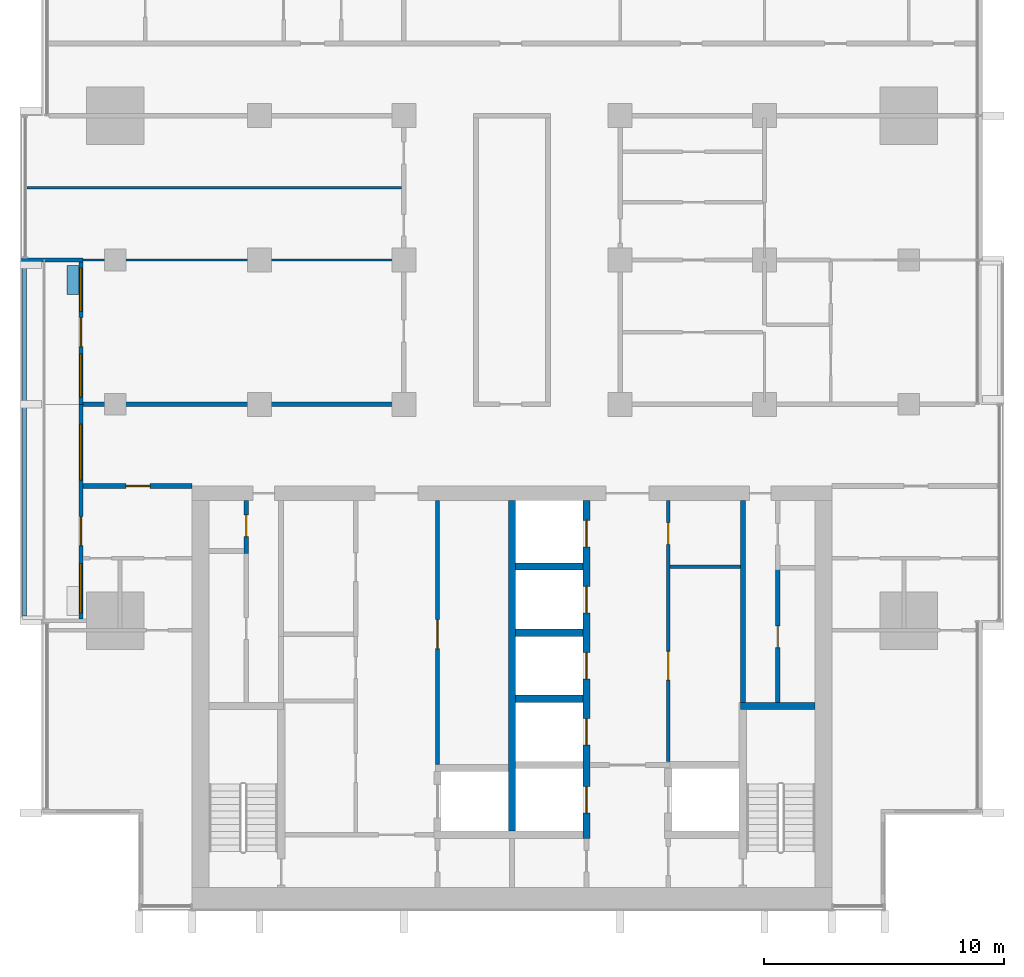
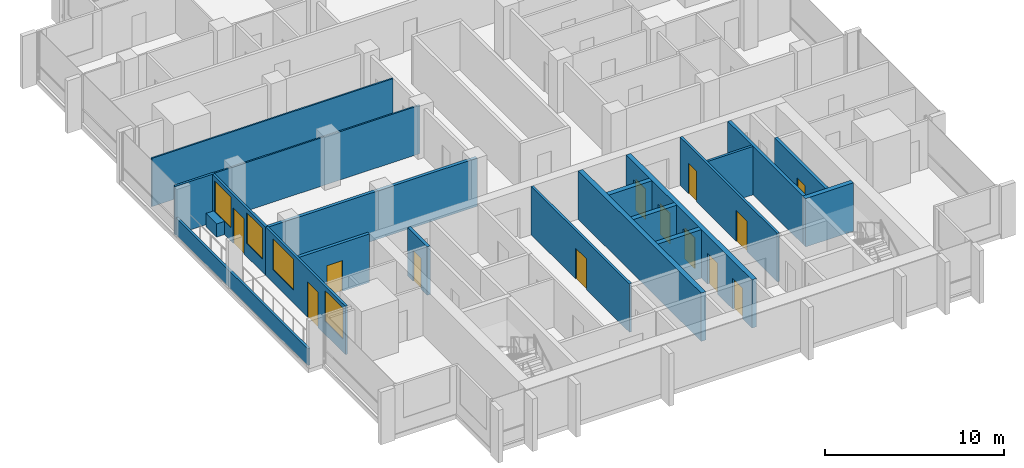
# One storey, part 8 of 16: 21 walls, 13 doors, 4 windows, 17 openings.
"""IFC4 building model written with IfcOpenShell, lengths in metres."""

from ifc_helpers import new_model, si_unit, direction, frame, frame_2d, origin, place, context, subcontext, project, spatial, rectangle, extrude, material, layer, layer_set, type_object, element, fill, save


model = new_model("IFC4")

# Units and contexts
model_context = context("Model", 3, precision=1e-05, world=origin(), true_north=direction((0.0, 1.0)))
body_context = subcontext(model_context, "Body", "Model", "MODEL_VIEW")
ifc_project = project(units=[si_unit("LENGTHUNIT", "METRE"), si_unit("AREAUNIT", "SQUARE_METRE"), si_unit("VOLUMEUNIT", "CUBIC_METRE"), si_unit("PLANEANGLEUNIT", "RADIAN"), si_unit("MASSUNIT", "GRAM", prefix="KILO")], contexts=[model_context])

# Site, building, storey
site_placement = place(None, origin())
site = spatial("IfcSite", under=ifc_project, at=site_placement, CompositionType="ELEMENT")
building_placement = place(site_placement, origin())
building = spatial("IfcBuilding", under=site, at=building_placement, Name="Finial Court Residences", CompositionType="ELEMENT")
storey_placement = place(building_placement, frame((0.0, 0.0, 188.89990234375)))
storey = spatial("IfcBuildingStorey", under=building, at=storey_placement, Name="L47", CompositionType="ELEMENT", Elevation=188.89990234375)

# Wall
ifc_material_1 = material(Name="Fire-rated gypsum board partition")
ifc_layer_1 = layer(ifc_material_1, 0.14990234375)
ifc_layer_set_1 = layer_set([ifc_layer_1], Name="Core room partition 150 EI 60")
wall_type_1 = type_object("IfcWallType", Name="Core room partition 150 EI 60", PredefinedType="PARTITIONING", material=ifc_layer_set_1)
wall_1_placement = place(storey_placement, frame((6.574951171875, -11.25, 0.0), z_axis=(0.0, 0.0, 1.0), x_axis=(1.0, 0.0, 0.0)))
element("IfcWall", 1, at=wall_1_placement, inside=storey, type_object=wall_type_1, Name="Core partition L47-16", PredefinedType="PARTITIONING", context=body_context, shape_type="SweptSolid", body=[
    extrude(rectangle(XDim=2.925048828125, YDim=0.14990234375, at=frame_2d((1.46240234375, 0.0))), origin(), (0.0, 0.0, 1.0), 3.300048828125),
])

# Wall, opening, door
wall_2_placement = place(storey_placement, frame((-3.10009765625, -8.5, 0.0), z_axis=(0.0, 0.0, 1.0), x_axis=(0.0, -1.0, 0.0)))
wall_2 = element("IfcWall", 2, at=wall_2_placement, inside=storey, type_object=wall_type_1, Name="Core partition L47-27", PredefinedType="PARTITIONING", context=body_context, shape_type="SweptSolid", body=[
    extrude(rectangle(XDim=10.969970703125, YDim=0.14990234375, at=frame_2d((5.48486328125, 0.0))), origin(), (0.0, 0.0, 1.0), 3.300048828125),
])
opening_1_placement = place(wall_2_placement, frame((4.9599609375, 0.0, 0.0)))
opening_1 = element("IfcOpeningElement", 3, at=opening_1_placement, cuts=wall_2, Name="Opening L47-C17", PredefinedType="OPENING", context=body_context, shape_type="SweptSolid", body=[
    extrude(rectangle(XDim=1.199951171875, YDim=2.10009765625, at=frame_2d((0.60009765625, 1.050048828125))), frame((0.0, 0.0849609375, 0.0), z_axis=(0.0, -1.0, 0.0), x_axis=(1.0, 0.0, 0.0)), (0.0, 0.0, 1.0), 0.169921875),
])
ifc_material_2 = material(Name="Steel fire door", Category="steel")
door_type_1 = type_object("IfcDoorType", Name="Core room door 1200 x 2100 EI 60", OperationType="NOTDEFINED", PredefinedType="DOOR", material=ifc_material_2)
door_1_placement = place(opening_1_placement, origin())
door_1 = element("IfcDoor", 4, at=door_1_placement, inside=storey, type_object=door_type_1, Name="Core room door L47-C17", OperationType="SINGLE_SWING_RIGHT", OverallHeight=2.10009765625, OverallWidth=1.199951171875, PredefinedType="DOOR", context=body_context, shape_type="SweptSolid", body=[
    extrude(rectangle(XDim=1.199951171875, YDim=2.10009765625, at=frame_2d((0.60009765625, 1.050048828125))), frame((0.0, 0.02490234375, 0.0), z_axis=(0.0, -1.0, 0.0), x_axis=(1.0, 0.0, 0.0)), (0.0, 0.0, 1.0), 0.050048828125),
])
fill(opening_1, door_1)

# Wall, openings, doors
wall_3_placement = place(storey_placement, frame((6.5, -8.5, 0.0), z_axis=(0.0, 0.0, 1.0), x_axis=(0.0, -1.0, 0.0)))
wall_3 = element("IfcWall", 5, at=wall_3_placement, inside=storey, type_object=wall_type_1, Name="Core partition L47-34", PredefinedType="PARTITIONING", context=body_context, shape_type="SweptSolid", body=[
    extrude(rectangle(XDim=10.85009765625, YDim=0.14990234375, at=frame_2d((5.425048828125, 0.0))), origin(), (0.0, 0.0, 1.0), 3.300048828125),
])
opening_2_placement = place(wall_3_placement, frame((6.27490234375, 0.0, 0.0)))
opening_2 = element("IfcOpeningElement", 6, at=opening_2_placement, cuts=wall_3, Name="Opening L47-C18", PredefinedType="OPENING", context=body_context, shape_type="SweptSolid", body=[
    extrude(rectangle(XDim=1.199951171875, YDim=2.10009765625, at=frame_2d((0.60009765625, 1.050048828125))), frame((0.0, 0.0849609375, 0.0), z_axis=(0.0, -1.0, 0.0), x_axis=(1.0, 0.0, 0.0)), (0.0, 0.0, 1.0), 0.169921875),
])
opening_3_placement = place(wall_3_placement, frame((0.925048828125, 0.0, 0.0)))
opening_3 = element("IfcOpeningElement", 7, at=opening_3_placement, cuts=wall_3, Name="Opening L47-C19", PredefinedType="OPENING", context=body_context, shape_type="SweptSolid", body=[
    extrude(rectangle(XDim=0.89990234375, YDim=2.10009765625, at=frame_2d((0.449951171875, 1.050048828125))), frame((0.0, 0.0849609375, 0.0), z_axis=(0.0, -1.0, 0.0), x_axis=(1.0, 0.0, 0.0)), (0.0, 0.0, 1.0), 0.169921875),
])
door_2_placement = place(opening_2_placement, origin())
door_2 = element("IfcDoor", 8, at=door_2_placement, inside=storey, type_object=door_type_1, Name="Core room door L47-C18", OperationType="SINGLE_SWING_RIGHT", OverallHeight=2.10009765625, OverallWidth=1.199951171875, PredefinedType="DOOR", context=body_context, shape_type="SweptSolid", body=[
    extrude(rectangle(XDim=1.199951171875, YDim=2.10009765625, at=frame_2d((0.60009765625, 1.050048828125))), frame((0.0, 0.02490234375, 0.0), z_axis=(0.0, -1.0, 0.0), x_axis=(1.0, 0.0, 0.0)), (0.0, 0.0, 1.0), 0.050048828125),
])
fill(opening_2, door_2)
door_type_2 = type_object("IfcDoorType", Name="Core room door 900 x 2100 EI 60", OperationType="NOTDEFINED", PredefinedType="DOOR", material=ifc_material_2)
door_3_placement = place(opening_3_placement, origin())
door_3 = element("IfcDoor", 9, at=door_3_placement, inside=storey, type_object=door_type_2, Name="Core room door L47-C19", OperationType="SINGLE_SWING_RIGHT", OverallHeight=2.10009765625, OverallWidth=0.89990234375, PredefinedType="DOOR", context=body_context, shape_type="SweptSolid", body=[
    extrude(rectangle(XDim=0.89990234375, YDim=2.10009765625, at=frame_2d((0.449951171875, 1.050048828125))), frame((0.0, 0.02490234375, 0.0), z_axis=(0.0, -1.0, 0.0), x_axis=(1.0, 0.0, 0.0)), (0.0, 0.0, 1.0), 0.050048828125),
])
fill(opening_3, door_3)

# Wall, opening, door
ifc_material_3 = material(Name="Gypsum board")
ifc_layer_2 = layer(ifc_material_3, 0.02490234375)
ifc_material_4 = material(Name="Acoustic mineral wool in double frame")
ifc_layer_3 = layer(ifc_material_4, 0.14990234375)
ifc_layer_4 = layer(ifc_material_3, 0.02490234375)
ifc_layer_set_2 = layer_set([ifc_layer_2, ifc_layer_3, ifc_layer_4], Name="Corridor wall 200, 1 hour")
wall_type_2 = type_object("IfcWallType", Name="Corridor wall 200, 1 hour", PredefinedType="PARTITIONING", material=ifc_layer_set_2)
wall_4_placement = place(storey_placement, frame((-17.85009765625, -7.89990234375, 0.0), z_axis=(0.0, 0.0, 1.0), x_axis=(1.0, 0.0, 0.0)))
wall_4 = element("IfcWall", 10, at=wall_4_placement, inside=storey, type_object=wall_type_2, Name="Partition L47-004", PredefinedType="PARTITIONING", context=body_context, shape_type="SweptSolid", body=[
    extrude(rectangle(XDim=4.550048828125, YDim=0.199951171875, at=frame_2d((2.27490234375, 0.0))), origin(), (0.0, 0.0, 1.0), 3.300048828125),
])
opening_4_placement = place(wall_4_placement, frame((1.800048828125, 0.0, 0.0)))
opening_4 = element("IfcOpeningElement", 11, at=opening_4_placement, cuts=wall_4, Name="Opening L47-D007", PredefinedType="OPENING", context=body_context, shape_type="SweptSolid", body=[
    extrude(rectangle(XDim=1.0, YDim=2.10009765625, at=frame_2d((0.5, 1.050048828125))), frame((0.0, 0.10986328125, 0.0), z_axis=(0.0, -1.0, 0.0), x_axis=(1.0, 0.0, 0.0)), (0.0, 0.0, 1.0), 0.219970703125),
])
ifc_material_5 = material(Name="Timber door leaf in hollow metal frame", Category="wood")
door_type_3 = type_object("IfcDoorType", Name="Fire door set 1000 x 2100, 30 minutes", OperationType="SINGLE_SWING_LEFT", PredefinedType="DOOR", material=ifc_material_5)
door_4_placement = place(opening_4_placement, origin())
door_4 = element("IfcDoor", 12, at=door_4_placement, inside=storey, type_object=door_type_3, Name="Door L47-D007", OperationType="SINGLE_SWING_RIGHT", OverallHeight=2.10009765625, OverallWidth=1.0, PredefinedType="DOOR", context=body_context, shape_type="SweptSolid", body=[
    extrude(rectangle(XDim=1.0, YDim=2.10009765625, at=frame_2d((0.5, 1.050048828125))), frame((0.0, 0.02490234375, 0.0), z_axis=(0.0, -1.0, 0.0), x_axis=(1.0, 0.0, 0.0)), (0.0, 0.0, 1.0), 0.050048828125),
])
fill(opening_4, door_4)

# Walls
wall_5_placement = place(storey_placement, frame((-17.85009765625, -4.5, 0.0), z_axis=(0.0, 0.0, 1.0), x_axis=(1.0, 0.0, 0.0)))
element("IfcWall", 13, at=wall_5_placement, inside=storey, type_object=wall_type_2, Name="Partition L47-006", PredefinedType="PARTITIONING", context=body_context, shape_type="SweptSolid", body=[
    extrude(rectangle(XDim=13.4501953125, YDim=0.199951171875, at=frame_2d((6.72509765625, 0.0))), origin(), (0.0, 0.0, 1.0), 3.300048828125),
])
ifc_layer_5 = layer(ifc_material_3, 0.012451171875)
ifc_material_6 = material(Name="Mineral wool in light-gauge frame")
ifc_layer_6 = layer(ifc_material_6, 0.074951171875)
ifc_layer_7 = layer(ifc_material_3, 0.012451171875)
ifc_layer_set_3 = layer_set([ifc_layer_5, ifc_layer_6, ifc_layer_7], Name="Gypsum board partition 100")
wall_type_3 = type_object("IfcWallType", Name="Gypsum board partition 100", PredefinedType="PARTITIONING", material=ifc_layer_set_3)
wall_6_placement = place(storey_placement, frame((-17.85009765625, 1.5, 0.0), z_axis=(0.0, 0.0, 1.0), x_axis=(1.0, 0.0, 0.0)))
element("IfcWall", 14, at=wall_6_placement, inside=storey, type_object=wall_type_3, Name="Partition L47-011", PredefinedType="PARTITIONING", context=body_context, shape_type="SweptSolid", body=[
    extrude(rectangle(XDim=13.25, YDim=0.10009765625, at=frame_2d((6.625, 0.0))), origin(), (0.0, 0.0, 1.0), 3.300048828125),
])
wall_7_placement = place(storey_placement, frame((-20.16259765625, 4.5, 0.0), z_axis=(0.0, 0.0, 1.0), x_axis=(1.0, 0.0, 0.0)))
element("IfcWall", 15, at=wall_7_placement, inside=storey, type_object=wall_type_3, Name="Partition L47-015", PredefinedType="PARTITIONING", context=body_context, shape_type="SweptSolid", body=[
    extrude(rectangle(XDim=15.5625, YDim=0.10009765625, at=frame_2d((7.78125, 0.0))), origin(), (0.0, 0.0, 1.0), 3.300048828125),
])
ifc_material_7 = material(Name="Concrete C35/45", Category="concrete")
ifc_layer_8 = layer(ifc_material_7, 0.14990234375)
ifc_layer_set_4 = layer_set([ifc_layer_8], Name="Ledge parapet, Concrete C35/45 150")
wall_type_4 = type_object("IfcWallType", Name="Ledge parapet, Concrete C35/45 150", PredefinedType="PARAPET", material=ifc_layer_set_4)
wall_8_placement = place(storey_placement, frame((-20.27490234375, -13.300048828125, 0.0), z_axis=(0.0, 0.0, 1.0), x_axis=(0.0, 1.0, 0.0)))
element("IfcWall", 16, at=wall_8_placement, inside=storey, type_object=wall_type_4, Name="E-L47-LED1-P2", PredefinedType="PARAPET", context=body_context, shape_type="SweptSolid", body=[
    extrude(rectangle(XDim=14.7900390625, YDim=0.14990234375, at=frame_2d((7.39501953125, 0.0))), origin(), (0.0, 0.0, 1.0), 1.150146484375),
])
ifc_material_8 = material(Name="Concrete C70/85", Category="concrete")
ifc_layer_9 = layer(ifc_material_8, 0.300048828125)
ifc_layer_set_5 = layer_set([ifc_layer_9], Name="Lift shaft and stair wall 300 Concrete C70/85")
wall_type_5 = type_object("IfcWallType", Name="Lift shaft and stair wall 300 Concrete C70/85", PredefinedType="SHEAR", material=ifc_layer_set_5)
wall_9_placement = place(storey_placement, frame((9.5, -17.050048828125, 0.0), z_axis=(0.0, 0.0, 1.0), x_axis=(1.0, 0.0, 0.0)))
element("IfcWall", 17, at=wall_9_placement, inside=storey, type_object=wall_type_5, Name="Core wall L47-09", PredefinedType="SHEAR", context=body_context, shape_type="SweptSolid", body=[
    extrude(rectangle(XDim=3.10009765625, YDim=0.300048828125, at=frame_2d((1.550048828125, 0.0))), origin(), (0.0, 0.0, 1.0), 3.300048828125),
])
for number, where, z_axis, x_axis, name in (
    (18, (0.14990234375, -16.75, 0.0), (0.0, 0.0, 1.0), (1.0, 0.0, 0.0), "Core wall L47-11"),
    (19, (0.14990234375, -14.0, 0.0), (0.0, 0.0, 1.0), (1.0, 0.0, 0.0), "Core wall L47-13"),
    (20, (0.14990234375, -11.25, 0.0), (0.0, 0.0, 1.0), (1.0, 0.0, 0.0), "Core wall L47-15"),
):
    element("IfcWall", number, at=place(storey_placement, frame(where, z_axis=z_axis, x_axis=x_axis)), inside=storey, type_object=wall_type_5, Name=name, PredefinedType="SHEAR", context=body_context, shape_type="SweptSolid", body=[
        extrude(rectangle(XDim=2.800048828125, YDim=0.300048828125, at=frame_2d((1.39990234375, 0.0))), origin(), (0.0, 0.0, 1.0), 3.300048828125),
    ])
wall_10_placement = place(storey_placement, frame((0.0, -22.25, 0.0), z_axis=(0.0, 0.0, 1.0), x_axis=(0.0, 1.0, 0.0)))
element("IfcWall", 21, at=wall_10_placement, inside=storey, type_object=wall_type_5, Name="Core wall L47-29", PredefinedType="SHEAR", context=body_context, shape_type="SweptSolid", body=[
    extrude(rectangle(XDim=13.75, YDim=0.300048828125, at=frame_2d((6.875, 0.0))), origin(), (0.0, 0.0, 1.0), 3.300048828125),
])

# Wall, openings, doors
wall_11_placement = place(storey_placement, frame((3.10009765625, -22.550048828125, 0.0), z_axis=(0.0, 0.0, 1.0), x_axis=(0.0, 1.0, 0.0)))
wall_11 = element("IfcWall", 22, at=wall_11_placement, inside=storey, type_object=wall_type_5, Name="Core wall L47-31", PredefinedType="SHEAR", context=body_context, shape_type="SweptSolid", body=[
    extrude(rectangle(XDim=14.050048828125, YDim=0.300048828125, at=frame_2d((7.02490234375, 0.0))), origin(), (0.0, 0.0, 1.0), 3.300048828125),
])
opening_5_placement = place(wall_11_placement, frame((1.050048828125, 0.0, 0.0)))
opening_5 = element("IfcOpeningElement", 23, at=opening_5_placement, cuts=wall_11, Name="Opening L47-LD01", PredefinedType="OPENING", context=body_context, shape_type="SweptSolid", body=[
    extrude(rectangle(XDim=1.10009765625, YDim=2.10009765625, at=frame_2d((0.550048828125, 1.050048828125))), frame((0.0, 0.159912109375, 0.0), z_axis=(0.0, -1.0, 0.0), x_axis=(1.0, 0.0, 0.0)), (0.0, 0.0, 1.0), 0.320068359375),
])
opening_6_placement = place(wall_11_placement, frame((3.875, 0.0, 0.0)))
opening_6 = element("IfcOpeningElement", 24, at=opening_6_placement, cuts=wall_11, Name="Opening L47-LD03", PredefinedType="OPENING", context=body_context, shape_type="SweptSolid", body=[
    extrude(rectangle(XDim=1.10009765625, YDim=2.10009765625, at=frame_2d((0.550048828125, 1.050048828125))), frame((0.0, 0.159912109375, 0.0), z_axis=(0.0, -1.0, 0.0), x_axis=(1.0, 0.0, 0.0)), (0.0, 0.0, 1.0), 0.320068359375),
])
opening_7_placement = place(wall_11_placement, frame((6.625, 0.0, 0.0)))
opening_7 = element("IfcOpeningElement", 25, at=opening_7_placement, cuts=wall_11, Name="Opening L47-LD04", PredefinedType="OPENING", context=body_context, shape_type="SweptSolid", body=[
    extrude(rectangle(XDim=1.10009765625, YDim=2.10009765625, at=frame_2d((0.550048828125, 1.050048828125))), frame((0.0, 0.159912109375, 0.0), z_axis=(0.0, -1.0, 0.0), x_axis=(1.0, 0.0, 0.0)), (0.0, 0.0, 1.0), 0.320068359375),
])
opening_8_placement = place(wall_11_placement, frame((9.375, 0.0, 0.0)))
opening_8 = element("IfcOpeningElement", 26, at=opening_8_placement, cuts=wall_11, Name="Opening L47-LD05", PredefinedType="OPENING", context=body_context, shape_type="SweptSolid", body=[
    extrude(rectangle(XDim=1.10009765625, YDim=2.10009765625, at=frame_2d((0.550048828125, 1.050048828125))), frame((0.0, 0.159912109375, 0.0), z_axis=(0.0, -1.0, 0.0), x_axis=(1.0, 0.0, 0.0)), (0.0, 0.0, 1.0), 0.320068359375),
])
opening_9_placement = place(wall_11_placement, frame((12.125, 0.0, 0.0)))
opening_9 = element("IfcOpeningElement", 27, at=opening_9_placement, cuts=wall_11, Name="Opening L47-LD06", PredefinedType="OPENING", context=body_context, shape_type="SweptSolid", body=[
    extrude(rectangle(XDim=1.10009765625, YDim=2.10009765625, at=frame_2d((0.550048828125, 1.050048828125))), frame((0.0, 0.159912109375, 0.0), z_axis=(0.0, -1.0, 0.0), x_axis=(1.0, 0.0, 0.0)), (0.0, 0.0, 1.0), 0.320068359375),
])
ifc_material_9 = material(Name="Stainless steel lift door", Category="steel")
door_type_4 = type_object("IfcDoorType", Name="Lift landing door 1100 x 2100 EI 90", OperationType="DOUBLE_DOOR_SLIDING", PredefinedType="DOOR", material=ifc_material_9)
door_5_placement = place(opening_5_placement, origin())
door_5 = element("IfcDoor", 28, at=door_5_placement, inside=storey, type_object=door_type_4, Name="Lift landing door FF1 L47", OperationType="DOUBLE_DOOR_SLIDING", OverallHeight=2.10009765625, OverallWidth=1.10009765625, PredefinedType="DOOR", context=body_context, shape_type="SweptSolid", body=[
    extrude(rectangle(XDim=1.10009765625, YDim=2.10009765625, at=frame_2d((0.550048828125, 1.050048828125))), frame((0.0, 0.02490234375, 0.0), z_axis=(0.0, -1.0, 0.0), x_axis=(1.0, 0.0, 0.0)), (0.0, 0.0, 1.0), 0.050048828125),
])
fill(opening_5, door_5)
door_6_placement = place(opening_6_placement, origin())
door_6 = element("IfcDoor", 29, at=door_6_placement, inside=storey, type_object=door_type_4, Name="Lift landing door HR1 L47", OperationType="DOUBLE_DOOR_SLIDING", OverallHeight=2.10009765625, OverallWidth=1.10009765625, PredefinedType="DOOR", context=body_context, shape_type="SweptSolid", body=[
    extrude(rectangle(XDim=1.10009765625, YDim=2.10009765625, at=frame_2d((0.550048828125, 1.050048828125))), frame((0.0, 0.02490234375, 0.0), z_axis=(0.0, -1.0, 0.0), x_axis=(1.0, 0.0, 0.0)), (0.0, 0.0, 1.0), 0.050048828125),
])
fill(opening_6, door_6)
door_7_placement = place(opening_7_placement, origin())
door_7 = element("IfcDoor", 30, at=door_7_placement, inside=storey, type_object=door_type_4, Name="Lift landing door HR2 L47", OperationType="DOUBLE_DOOR_SLIDING", OverallHeight=2.10009765625, OverallWidth=1.10009765625, PredefinedType="DOOR", context=body_context, shape_type="SweptSolid", body=[
    extrude(rectangle(XDim=1.10009765625, YDim=2.10009765625, at=frame_2d((0.550048828125, 1.050048828125))), frame((0.0, 0.02490234375, 0.0), z_axis=(0.0, -1.0, 0.0), x_axis=(1.0, 0.0, 0.0)), (0.0, 0.0, 1.0), 0.050048828125),
])
fill(opening_7, door_7)
door_8_placement = place(opening_8_placement, origin())
door_8 = element("IfcDoor", 31, at=door_8_placement, inside=storey, type_object=door_type_4, Name="Lift landing door HR3 L47", OperationType="DOUBLE_DOOR_SLIDING", OverallHeight=2.10009765625, OverallWidth=1.10009765625, PredefinedType="DOOR", context=body_context, shape_type="SweptSolid", body=[
    extrude(rectangle(XDim=1.10009765625, YDim=2.10009765625, at=frame_2d((0.550048828125, 1.050048828125))), frame((0.0, 0.02490234375, 0.0), z_axis=(0.0, -1.0, 0.0), x_axis=(1.0, 0.0, 0.0)), (0.0, 0.0, 1.0), 0.050048828125),
])
fill(opening_8, door_8)
door_9_placement = place(opening_9_placement, origin())
door_9 = element("IfcDoor", 32, at=door_9_placement, inside=storey, type_object=door_type_4, Name="Lift landing door HR4 L47", OperationType="DOUBLE_DOOR_SLIDING", OverallHeight=2.10009765625, OverallWidth=1.10009765625, PredefinedType="DOOR", context=body_context, shape_type="SweptSolid", body=[
    extrude(rectangle(XDim=1.10009765625, YDim=2.10009765625, at=frame_2d((0.550048828125, 1.050048828125))), frame((0.0, 0.02490234375, 0.0), z_axis=(0.0, -1.0, 0.0), x_axis=(1.0, 0.0, 0.0)), (0.0, 0.0, 1.0), 0.050048828125),
])
fill(opening_9, door_9)

# Wall, openings, door, windows
ifc_material_10 = material(Name="Natural limestone", Category="masonry")
ifc_layer_10 = layer(ifc_material_10, 0.14990234375)
ifc_layer_set_6 = layer_set([ifc_layer_10], Name="Limestone clad wall 150")
wall_type_6 = type_object("IfcWallType", Name="Limestone clad wall 150", PredefinedType="SOLIDWALL", material=ifc_layer_set_6)
wall_12_placement = place(storey_placement, frame((-17.925048828125, -13.425048828125, 0.0), z_axis=(0.0, 0.0, 1.0), x_axis=(0.0, 1.0, 0.0)))
wall_12 = element("IfcWall", 33, at=wall_12_placement, inside=storey, type_object=wall_type_6, Name="E-L47-L47-BALW2-W", PredefinedType="SOLIDWALL", context=body_context, shape_type="SweptSolid", body=[
    extrude(rectangle(XDim=8.925048828125, YDim=0.14990234375, at=frame_2d((4.46240234375, 0.0))), origin(), (0.0, 0.0, 1.0), 3.300048828125),
])
opening_10_placement = place(wall_12_placement, frame((3.050048828125, 0.0, 0.0)))
opening_10 = element("IfcOpeningElement", 34, at=opening_10_placement, cuts=wall_12, Name="Opening DE47-01", PredefinedType="OPENING", context=body_context, shape_type="SweptSolid", body=[
    extrude(rectangle(XDim=1.199951171875, YDim=2.39990234375, at=frame_2d((0.60009765625, 1.199951171875))), frame((0.0, 0.0849609375, 0.0), z_axis=(0.0, -1.0, 0.0), x_axis=(1.0, 0.0, 0.0)), (0.0, 0.0, 1.0), 0.169921875),
])
opening_11_placement = place(wall_12_placement, frame((0.25, 0.0, 0.89990234375)))
opening_11 = element("IfcOpeningElement", 35, at=opening_11_placement, cuts=wall_12, Name="Opening WE47-09", PredefinedType="OPENING", context=body_context, shape_type="SweptSolid", body=[
    extrude(rectangle(XDim=2.050048828125, YDim=2.10009765625, at=frame_2d((1.02490234375, 1.050048828125))), frame((0.0, 0.0849609375, 0.0), z_axis=(0.0, -1.0, 0.0), x_axis=(1.0, 0.0, 0.0)), (0.0, 0.0, 1.0), 0.169921875),
])
opening_12_placement = place(wall_12_placement, frame((5.775390625, 0.0, 0.89990234375)))
opening_12 = element("IfcOpeningElement", 36, at=opening_12_placement, cuts=wall_12, Name="Opening WE47-10", PredefinedType="OPENING", context=body_context, shape_type="SweptSolid", body=[
    extrude(rectangle(XDim=2.31201171875, YDim=2.10009765625, at=frame_2d((1.156005859375, 1.050048828125))), frame((0.0, 0.0849609375, 0.0), z_axis=(0.0, -1.0, 0.0), x_axis=(1.0, 0.0, 0.0)), (0.0, 0.0, 1.0), 0.169921875),
])
ifc_material_11 = material(Name="Bronze anodised aluminium", Category="aluminium")
door_type_5 = type_object("IfcDoorType", Name="Balcony door 1200 x 2400", OperationType="SINGLE_SWING_LEFT", PredefinedType="DOOR", material=ifc_material_11)
door_10_placement = place(opening_10_placement, origin())
door_10 = element("IfcDoor", 37, at=door_10_placement, inside=storey, type_object=door_type_5, Name="E-L47-L47-BALW2-W-D", OperationType="SINGLE_SWING_LEFT", OverallHeight=2.39990234375, OverallWidth=1.199951171875, PredefinedType="DOOR", context=body_context, shape_type="SweptSolid", body=[
    extrude(rectangle(XDim=1.199951171875, YDim=2.39990234375, at=frame_2d((0.60009765625, 1.199951171875))), frame((0.0, 0.02490234375, 0.0), z_axis=(0.0, -1.0, 0.0), x_axis=(1.0, 0.0, 0.0)), (0.0, 0.0, 1.0), 0.050048828125),
])
fill(opening_10, door_10)
ifc_material_12 = material(Name="Clear low-e glass", Category="glass")
window_type_1 = type_object("IfcWindowType", Name="Balcony window 2050 x 2100", PartitioningType="SINGLE_PANEL", PredefinedType="WINDOW", material=ifc_material_12)
window_1_placement = place(opening_11_placement, origin())
window_1 = element("IfcWindow", 38, at=window_1_placement, inside=storey, type_object=window_type_1, Name="E-L47-L47-BALW2-W-W1", OverallHeight=2.10009765625, OverallWidth=2.050048828125, PartitioningType="SINGLE_PANEL", PredefinedType="WINDOW", context=body_context, shape_type="SweptSolid", body=[
    extrude(rectangle(XDim=2.050048828125, YDim=2.10009765625, at=frame_2d((1.02490234375, 1.050048828125))), frame((0.0, 0.030029296875, 0.0), z_axis=(0.0, -1.0, 0.0), x_axis=(1.0, 0.0, 0.0)), (0.0, 0.0, 1.0), 0.06005859375),
])
fill(opening_11, window_1)
window_type_2 = type_object("IfcWindowType", Name="Balcony window 2312 x 2100", PartitioningType="SINGLE_PANEL", PredefinedType="WINDOW", material=ifc_material_12)
window_2_placement = place(opening_12_placement, origin())
window_2 = element("IfcWindow", 39, at=window_2_placement, inside=storey, type_object=window_type_2, Name="E-L47-L47-BALW2-W-W2", OverallHeight=2.10009765625, OverallWidth=2.31201171875, PartitioningType="SINGLE_PANEL", PredefinedType="WINDOW", context=body_context, shape_type="SweptSolid", body=[
    extrude(rectangle(XDim=2.31201171875, YDim=2.10009765625, at=frame_2d((1.156005859375, 1.050048828125))), frame((0.0, 0.030029296875, 0.0), z_axis=(0.0, -1.0, 0.0), x_axis=(1.0, 0.0, 0.0)), (0.0, 0.0, 1.0), 0.06005859375),
])
fill(opening_12, window_2)

# Wall
wall_13_placement = place(storey_placement, frame((-17.85009765625, 1.5, 0.0), z_axis=(0.0, 0.0, 1.0), x_axis=(-1.0, 0.0, 0.0)))
element("IfcWall", 40, at=wall_13_placement, inside=storey, type_object=wall_type_6, Name="E-L47-BALW3-P2", PredefinedType="SOLIDWALL", context=body_context, shape_type="SweptSolid", body=[
    extrude(rectangle(XDim=2.5498046875, YDim=0.14990234375, at=frame_2d((1.27490234375, 0.0))), origin(), (0.0, 0.0, 1.0), 3.300048828125),
])

# Wall, openings, door, windows
wall_14_placement = place(storey_placement, frame((-17.925048828125, -4.5, 0.0), z_axis=(0.0, 0.0, 1.0), x_axis=(0.0, 1.0, 0.0)))
wall_14 = element("IfcWall", 41, at=wall_14_placement, inside=storey, type_object=wall_type_6, Name="E-L47-L47-BALW3-W", PredefinedType="SOLIDWALL", context=body_context, shape_type="SweptSolid", body=[
    extrude(rectangle(XDim=5.925048828125, YDim=0.14990234375, at=frame_2d((2.96240234375, 0.0))), origin(), (0.0, 0.0, 1.0), 3.300048828125),
])
opening_13_placement = place(wall_14_placement, frame((2.39990234375, 0.0, 0.0)))
opening_13 = element("IfcOpeningElement", 42, at=opening_13_placement, cuts=wall_14, Name="Opening DE47-02", PredefinedType="OPENING", context=body_context, shape_type="SweptSolid", body=[
    extrude(rectangle(XDim=1.199951171875, YDim=2.39990234375, at=frame_2d((0.60009765625, 1.199951171875))), frame((0.0, 0.0849609375, 0.0), z_axis=(0.0, -1.0, 0.0), x_axis=(1.0, 0.0, 0.0)), (0.0, 0.0, 1.0), 0.169921875),
])
opening_14_placement = place(wall_14_placement, frame((0.300048828125, 0.0, 0.89990234375)))
opening_14 = element("IfcOpeningElement", 43, at=opening_14_placement, cuts=wall_14, Name="Opening WE47-11", PredefinedType="OPENING", context=body_context, shape_type="SweptSolid", body=[
    extrude(rectangle(XDim=1.800048828125, YDim=2.10009765625, at=frame_2d((0.89990234375, 1.050048828125))), frame((0.0, 0.0849609375, 0.0), z_axis=(0.0, -1.0, 0.0), x_axis=(1.0, 0.0, 0.0)), (0.0, 0.0, 1.0), 0.169921875),
])
opening_15_placement = place(wall_14_placement, frame((3.862548828125, 0.0, 0.89990234375)))
opening_15 = element("IfcOpeningElement", 44, at=opening_15_placement, cuts=wall_14, Name="Opening WE47-12", PredefinedType="OPENING", context=body_context, shape_type="SweptSolid", body=[
    extrude(rectangle(XDim=1.800048828125, YDim=2.10009765625, at=frame_2d((0.89990234375, 1.050048828125))), frame((0.0, 0.0849609375, 0.0), z_axis=(0.0, -1.0, 0.0), x_axis=(1.0, 0.0, 0.0)), (0.0, 0.0, 1.0), 0.169921875),
])
door_11_placement = place(opening_13_placement, origin())
door_11 = element("IfcDoor", 45, at=door_11_placement, inside=storey, type_object=door_type_5, Name="E-L47-L47-BALW3-W-D", OperationType="SINGLE_SWING_RIGHT", OverallHeight=2.39990234375, OverallWidth=1.199951171875, PredefinedType="DOOR", context=body_context, shape_type="SweptSolid", body=[
    extrude(rectangle(XDim=1.199951171875, YDim=2.39990234375, at=frame_2d((0.60009765625, 1.199951171875))), frame((0.0, 0.02490234375, 0.0), z_axis=(0.0, -1.0, 0.0), x_axis=(1.0, 0.0, 0.0)), (0.0, 0.0, 1.0), 0.050048828125),
])
fill(opening_13, door_11)
window_type_3 = type_object("IfcWindowType", Name="Balcony window 1800 x 2100", PartitioningType="SINGLE_PANEL", PredefinedType="WINDOW", material=ifc_material_12)
window_3_placement = place(opening_14_placement, origin())
window_3 = element("IfcWindow", 46, at=window_3_placement, inside=storey, type_object=window_type_3, Name="E-L47-L47-BALW3-W-W1", OverallHeight=2.10009765625, OverallWidth=1.800048828125, PartitioningType="SINGLE_PANEL", PredefinedType="WINDOW", context=body_context, shape_type="SweptSolid", body=[
    extrude(rectangle(XDim=1.800048828125, YDim=2.10009765625, at=frame_2d((0.89990234375, 1.050048828125))), frame((0.0, 0.030029296875, 0.0), z_axis=(0.0, -1.0, 0.0), x_axis=(1.0, 0.0, 0.0)), (0.0, 0.0, 1.0), 0.06005859375),
])
fill(opening_14, window_3)
window_4_placement = place(opening_15_placement, origin())
window_4 = element("IfcWindow", 47, at=window_4_placement, inside=storey, type_object=window_type_3, Name="E-L47-L47-BALW3-W-W2", OverallHeight=2.10009765625, OverallWidth=1.800048828125, PartitioningType="SINGLE_PANEL", PredefinedType="WINDOW", context=body_context, shape_type="SweptSolid", body=[
    extrude(rectangle(XDim=1.800048828125, YDim=2.10009765625, at=frame_2d((0.89990234375, 1.050048828125))), frame((0.0, 0.030029296875, 0.0), z_axis=(0.0, -1.0, 0.0), x_axis=(1.0, 0.0, 0.0)), (0.0, 0.0, 1.0), 0.06005859375),
])
fill(opening_15, window_4)

# Wall
ifc_material_13 = material(Name="Concrete C40/50", Category="concrete")
ifc_layer_11 = layer(ifc_material_13, 0.10009765625)
ifc_material_14 = material(Name="Planting soil", Category="soil")
ifc_layer_12 = layer(ifc_material_14, 0.300048828125)
ifc_layer_13 = layer(ifc_material_13, 0.10009765625)
ifc_layer_set_7 = layer_set([ifc_layer_11, ifc_layer_12, ifc_layer_13], Name="Planter wall, balcony")
wall_type_7 = type_object("IfcWallType", Name="Planter wall, balcony", PredefinedType="USERDEFINED", material=ifc_layer_set_7)
wall_15_placement = place(storey_placement, frame((-18.25, 0.074951171875, 0.0), z_axis=(0.0, 0.0, 1.0), x_axis=(0.0, 1.0, 0.0)))
element("IfcWall", 48, at=wall_15_placement, inside=storey, type_object=wall_type_7, Name="E-L47-BALW3-PL", ObjectType="PLANTER", PredefinedType="USERDEFINED", context=body_context, shape_type="SweptSolid", body=[
    extrude(rectangle(XDim=1.199951171875, YDim=0.5, at=frame_2d((0.60009765625, 0.0))), origin(), (0.0, 0.0, 1.0), 0.900146484375),
])

# Wall, opening, door
ifc_layer_14 = layer(ifc_material_1, 0.199951171875)
ifc_layer_set_8 = layer_set([ifc_layer_14], Name="Riser room wall 200 EI 120")
wall_type_8 = type_object("IfcWallType", Name="Riser room wall 200 EI 120", PredefinedType="PARTITIONING", material=ifc_layer_set_8)
wall_16_placement = place(storey_placement, frame((-11.050048828125, -10.699951171875, 0.0), z_axis=(0.0, 0.0, 1.0), x_axis=(0.0, 1.0, 0.0)))
wall_16 = element("IfcWall", 49, at=wall_16_placement, inside=storey, type_object=wall_type_8, Name="Core partition L47-19", PredefinedType="PARTITIONING", context=body_context, shape_type="SweptSolid", body=[
    extrude(rectangle(XDim=2.199951171875, YDim=0.199951171875, at=frame_2d((1.10009765625, 0.0))), origin(), (0.0, 0.0, 1.0), 3.300048828125),
])
opening_16_placement = place(wall_16_placement, frame((0.699951171875, 0.0, 0.0)))
opening_16 = element("IfcOpeningElement", 50, at=opening_16_placement, cuts=wall_16, Name="Opening L47-C07", PredefinedType="OPENING", context=body_context, shape_type="SweptSolid", body=[
    extrude(rectangle(XDim=0.89990234375, YDim=2.10009765625, at=frame_2d((0.449951171875, 1.050048828125))), frame((0.0, 0.10986328125, 0.0), z_axis=(0.0, -1.0, 0.0), x_axis=(1.0, 0.0, 0.0)), (0.0, 0.0, 1.0), 0.219970703125),
])
door_type_6 = type_object("IfcDoorType", Name="Riser room door 900 x 2100 EI 90", OperationType="NOTDEFINED", PredefinedType="DOOR", material=ifc_material_2)
door_12_placement = place(opening_16_placement, origin())
door_12 = element("IfcDoor", 51, at=door_12_placement, inside=storey, type_object=door_type_6, Name="Riser room door L47-C07", OperationType="SINGLE_SWING_LEFT", OverallHeight=2.10009765625, OverallWidth=0.89990234375, PredefinedType="DOOR", context=body_context, shape_type="SweptSolid", body=[
    extrude(rectangle(XDim=0.89990234375, YDim=2.10009765625, at=frame_2d((0.449951171875, 1.050048828125))), frame((0.0, 0.02490234375, 0.0), z_axis=(0.0, -1.0, 0.0), x_axis=(1.0, 0.0, 0.0)), (0.0, 0.0, 1.0), 0.050048828125),
])
fill(opening_16, door_12)

# Wall
ifc_layer_15 = layer(ifc_material_1, 0.199951171875)
ifc_layer_set_9 = layer_set([ifc_layer_15], Name="Stair passage wall 200 EI 180")
wall_type_9 = type_object("IfcWallType", Name="Stair passage wall 200 EI 180", PredefinedType="PARTITIONING", material=ifc_layer_set_9)
wall_17_placement = place(storey_placement, frame((9.60009765625, -16.89990234375, 0.0), z_axis=(0.0, 0.0, 1.0), x_axis=(0.0, 1.0, 0.0)))
element("IfcWall", 52, at=wall_17_placement, inside=storey, type_object=wall_type_9, Name="Core partition L47-36", PredefinedType="PARTITIONING", context=body_context, shape_type="SweptSolid", body=[
    extrude(rectangle(XDim=8.39990234375, YDim=0.199951171875, at=frame_2d((4.199951171875, 0.0))), origin(), (0.0, 0.0, 1.0), 3.300048828125),
])

# Wall, opening, door
wall_18_placement = place(storey_placement, frame((11.050048828125, -11.199951171875, 0.0), z_axis=(0.0, 0.0, 1.0), x_axis=(0.0, -1.0, 0.0)))
wall_18 = element("IfcWall", 53, at=wall_18_placement, inside=storey, type_object=wall_type_9, Name="Core partition L47-37", PredefinedType="PARTITIONING", context=body_context, shape_type="SweptSolid", body=[
    extrude(rectangle(XDim=5.699951171875, YDim=0.199951171875, at=frame_2d((2.85009765625, 0.0))), origin(), (0.0, 0.0, 1.0), 3.300048828125),
])
opening_17_placement = place(wall_18_placement, frame((2.52490234375, 0.0, 0.0)))
opening_17 = element("IfcOpeningElement", 54, at=opening_17_placement, cuts=wall_18, Name="Opening L47-C14", PredefinedType="OPENING", context=body_context, shape_type="SweptSolid", body=[
    extrude(rectangle(XDim=0.89990234375, YDim=2.10009765625, at=frame_2d((0.449951171875, 1.050048828125))), frame((0.0, 0.10986328125, 0.0), z_axis=(0.0, -1.0, 0.0), x_axis=(1.0, 0.0, 0.0)), (0.0, 0.0, 1.0), 0.219970703125),
])
door_13_placement = place(opening_17_placement, origin())
door_13 = element("IfcDoor", 55, at=door_13_placement, inside=storey, type_object=door_type_2, Name="Core room door L47-C14", OperationType="SINGLE_SWING_RIGHT", OverallHeight=2.10009765625, OverallWidth=0.89990234375, PredefinedType="DOOR", context=body_context, shape_type="SweptSolid", body=[
    extrude(rectangle(XDim=0.89990234375, YDim=2.10009765625, at=frame_2d((0.449951171875, 1.050048828125))), frame((0.0, 0.02490234375, 0.0), z_axis=(0.0, -1.0, 0.0), x_axis=(1.0, 0.0, 0.0)), (0.0, 0.0, 1.0), 0.050048828125),
])
fill(opening_17, door_13)

save(model, "model.ifc")
